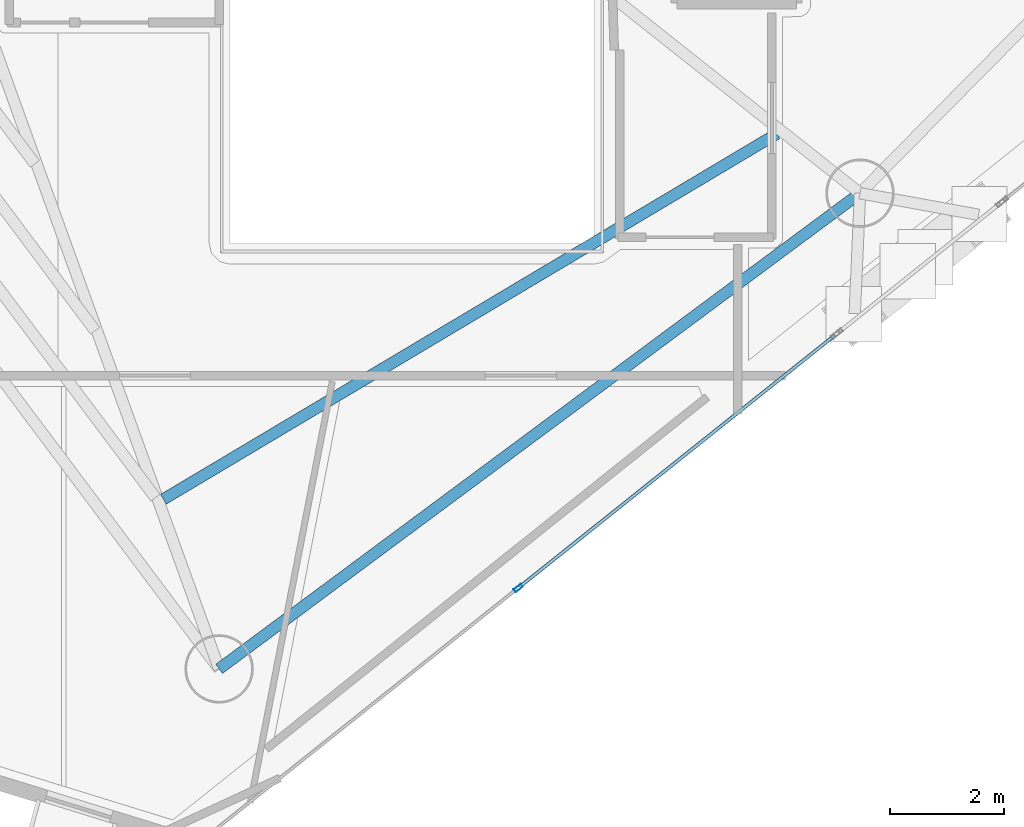
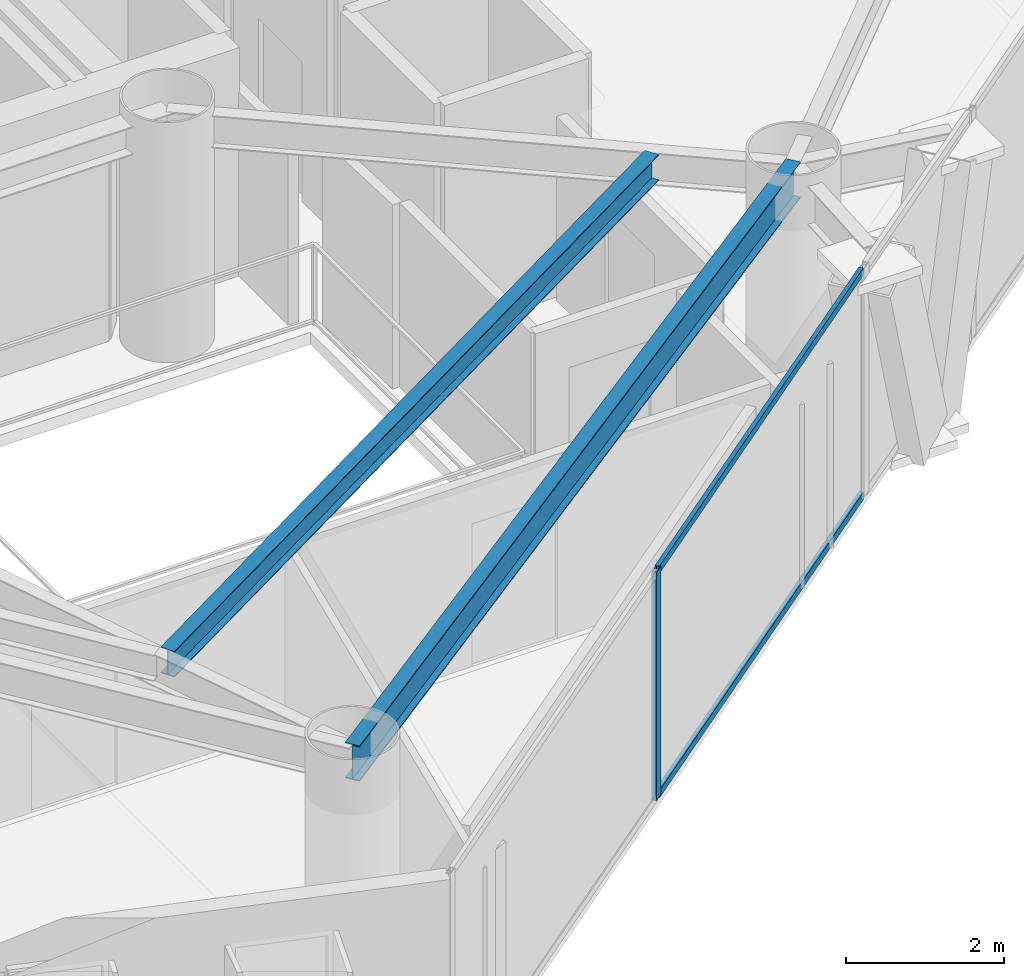
# One storey, part 4 of 22: 3 members, 2 beams, 1 element without a shape of its own.
"""IFC4 building model written with IfcOpenShell, lengths in metres."""

from ifc_helpers import new_model, si_unit, direction, frame, origin, origin_2d, place, context, subcontext, project, spatial, hollow_rectangle, i_section, extrude, material, layer, layer_set, material_profile, profile_set, type_object, element, aggregate, save


model = new_model("IFC4")

# Units and contexts
model_context = context("Model", 3, precision=1e-05, world=origin(), true_north=direction((0.0, 1.0)))
body_context = subcontext(model_context, "Body", "Model", "MODEL_VIEW")
ifc_project = project(units=[si_unit("LENGTHUNIT", "METRE"), si_unit("AREAUNIT", "SQUARE_METRE"), si_unit("VOLUMEUNIT", "CUBIC_METRE"), si_unit("PLANEANGLEUNIT", "RADIAN"), si_unit("MASSUNIT", "GRAM", prefix="KILO")], contexts=[model_context])

# Site, building, storey
site_placement = place(None, origin())
site = spatial("IfcSite", under=ifc_project, at=site_placement, CompositionType="ELEMENT")
building_placement = place(site_placement, origin())
building = spatial("IfcBuilding", under=site, at=building_placement, Name="Qianvela Tower", CompositionType="ELEMENT")
storey_placement = place(building_placement, frame((0.0, 0.0, 207.699951171875)))
storey = spatial("IfcBuildingStorey", under=building, at=storey_placement, Name="L53", CompositionType="ELEMENT", Elevation=207.699951171875)

# Beams
ifc_material_1 = material(Name="Steel Q355B", Category="steel")
ifc_material_profile_1 = material_profile(ifc_material_1, i_section(OverallWidth=0.199951171875, OverallDepth=0.39990234375, WebThickness=0.008056640625, FlangeThickness=0.012939453125, at=origin_2d()), Name="HN400x200x8x13")
ifc_profile_set_1 = profile_set([ifc_material_profile_1], Name="Steel Q355B")
beam_type_1 = type_object("IfcBeamType", Name="BM-HN400-JOIST", PredefinedType="JOIST", material=ifc_profile_set_1)
beam_1_placement = place(storey_placement, frame((32.4365234375, 13.51025390625, 3.318115234375), z_axis=(0.859083505932, 0.511835451914, 0.0), x_axis=(-0.511835451914, 0.859083505932, 0.0)))
element("IfcBeam", 1, at=beam_1_placement, inside=storey, type_object=beam_type_1, Name="L53 Secondary Composite Floor Joist 5.3", PredefinedType="JOIST", context=body_context, shape_type="SweptSolid", body=[
    extrude(i_section(OverallWidth=0.199951171875, OverallDepth=0.39990234375, WebThickness=0.008056640625, FlangeThickness=0.012939453125, at=origin_2d()), origin(), (0.0, 0.0, 1.0), 12.535888671875),
])
ifc_material_2 = material(Name="Steel Q355B", Category="steel")
ifc_material_profile_2 = material_profile(ifc_material_2, i_section(OverallWidth=0.199951171875, OverallDepth=0.550048828125, WebThickness=0.010009765625, FlangeThickness=0.01611328125, at=origin_2d()), Name="HN550x200x10x16")
ifc_profile_set_2 = profile_set([ifc_material_profile_2], Name="Steel Q355B")
beam_type_2 = type_object("IfcBeamType", Name="BM-HN550-GIRD", PredefinedType="BEAM", material=ifc_profile_set_2)
beam_2_placement = place(storey_placement, frame((33.4130859375, 10.531005859375, 3.2431640625), z_axis=(0.803016810701, 0.595956375696, 0.0), x_axis=(-0.595956375696, 0.803016810701, 0.0)))
element("IfcBeam", 2, at=beam_2_placement, inside=storey, type_object=beam_type_2, Name="L53 Perimeter Ring Spandrel Girder 5", PredefinedType="BEAM", context=body_context, shape_type="SweptSolid", body=[
    extrude(i_section(OverallWidth=0.199951171875, OverallDepth=0.550048828125, WebThickness=0.010009765625, FlangeThickness=0.01611328125, at=origin_2d()), origin(), (0.0, 0.0, 1.0), 14.0146484375),
])

# Curtain wall, members
ifc_material_3 = material(Name="Anodised Architectural Aluminium and Low-E Glass", Category="aluminium")
ifc_layer = layer(ifc_material_3, 0.159912109375)
ifc_layer_set = layer_set([ifc_layer], Name="Anodised Architectural Aluminium and Low-E Glass")
curtain_wall_type = type_object("IfcCurtainWallType", Name="CW-COLIV-Z56", PredefinedType="USERDEFINED", material=ifc_layer_set)
curtain_wall_placement = place(storey_placement, origin())
curtain_wall = element("IfcCurtainWall", 3, at=curtain_wall_placement, inside=storey, type_object=curtain_wall_type, Name="L53 CW-COLIV-Z56 Curtain Wall 06A", ObjectType="CURTAIN_WALL_SYSTEM", PredefinedType="USERDEFINED")
ifc_material_4 = material(Name="Anodised Architectural Aluminium 6063-T6", Category="aluminium")
ifc_material_profile_3 = material_profile(ifc_material_4, hollow_rectangle(XDim=0.06494140625, YDim=0.159912109375, WallThickness=0.0048828125, at=origin_2d()), Name="ALU-MULL-65x160")
ifc_profile_set_3 = profile_set([ifc_material_profile_3], Name="Anodised Architectural Aluminium 6063-T6")
member_type_1 = type_object("IfcMemberType", Name="CW-COLIV-Z56-MULL", PredefinedType="MULLION", material=ifc_profile_set_3)
member_1_placement = place(storey_placement, frame((38.664794921875, 11.950927734375, 0.0), z_axis=(0.0, 0.0, 1.0), x_axis=(-0.62378339675, 0.781597258145, 0.0)))
member_1 = element("IfcMember", 4, at=member_1_placement, type_object=member_type_1, Name="CW-5 mullion 2", PredefinedType="MULLION", context=body_context, shape_type="SweptSolid", body=[
    extrude(hollow_rectangle(XDim=0.06494140625, YDim=0.159912109375, WallThickness=0.0048828125, at=origin_2d()), origin(), (0.0, 0.0, 1.0), 3.52001953125),
])
ifc_material_5 = material(Name="Anodised Architectural Aluminium 6063-T6", Category="aluminium")
ifc_material_profile_4 = material_profile(ifc_material_5, hollow_rectangle(XDim=0.06005859375, YDim=0.114990234375, WallThickness=0.00390625, at=origin_2d()), Name="ALU-TRAN-60x115")
ifc_profile_set_4 = profile_set([ifc_material_profile_4], Name="Anodised Architectural Aluminium 6063-T6")
member_type_2 = type_object("IfcMemberType", Name="CW-COLIV-Z56-TRAN", PredefinedType="USERDEFINED", material=ifc_profile_set_4)
member_2_placement = place(storey_placement, frame((38.690185546875, 11.97119140625, 0.030029296875), z_axis=(0.781593378412, 0.623788258003, 0.0), x_axis=(-0.623788258003, 0.781593378412, 0.0)))
member_2 = element("IfcMember", 5, at=member_2_placement, type_object=member_type_2, Name="CW-5 transom 2.1", ObjectType="TRANSOM", PredefinedType="USERDEFINED", context=body_context, shape_type="SweptSolid", body=[
    extrude(hollow_rectangle(XDim=0.06005859375, YDim=0.114990234375, WallThickness=0.00390625, at=origin_2d()), origin(), (0.0, 0.0, 1.0), 7.0625),
])
member_3_placement = place(storey_placement, frame((38.690185546875, 11.97119140625, 3.489990234375), z_axis=(0.781593378412, 0.623788258003, 0.0), x_axis=(-0.623788258003, 0.781593378412, 0.0)))
member_3 = element("IfcMember", 6, at=member_3_placement, type_object=member_type_2, Name="CW-5 transom 2.2", ObjectType="TRANSOM", PredefinedType="USERDEFINED", context=body_context, shape_type="SweptSolid", body=[
    extrude(hollow_rectangle(XDim=0.06005859375, YDim=0.114990234375, WallThickness=0.00390625, at=origin_2d()), origin(), (0.0, 0.0, 1.0), 7.0625),
])
aggregate(curtain_wall, [member_1, member_2, member_3])

save(model, "model.ifc")
